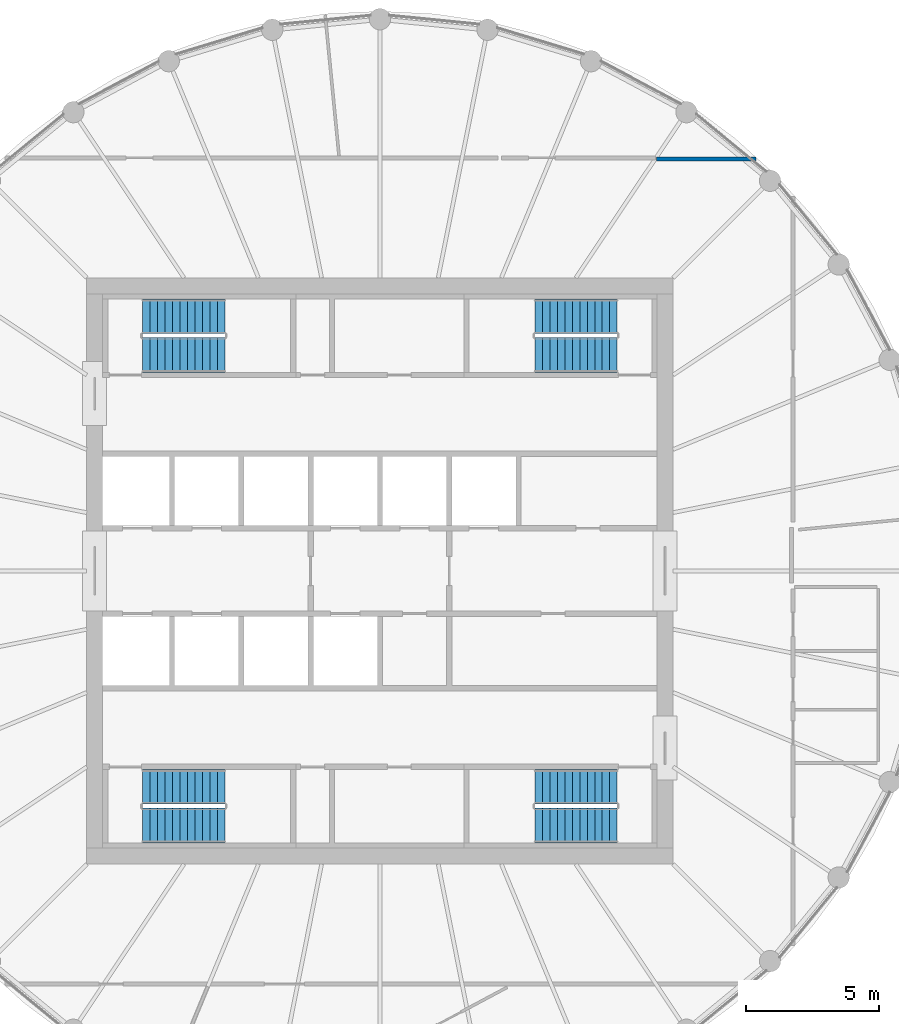
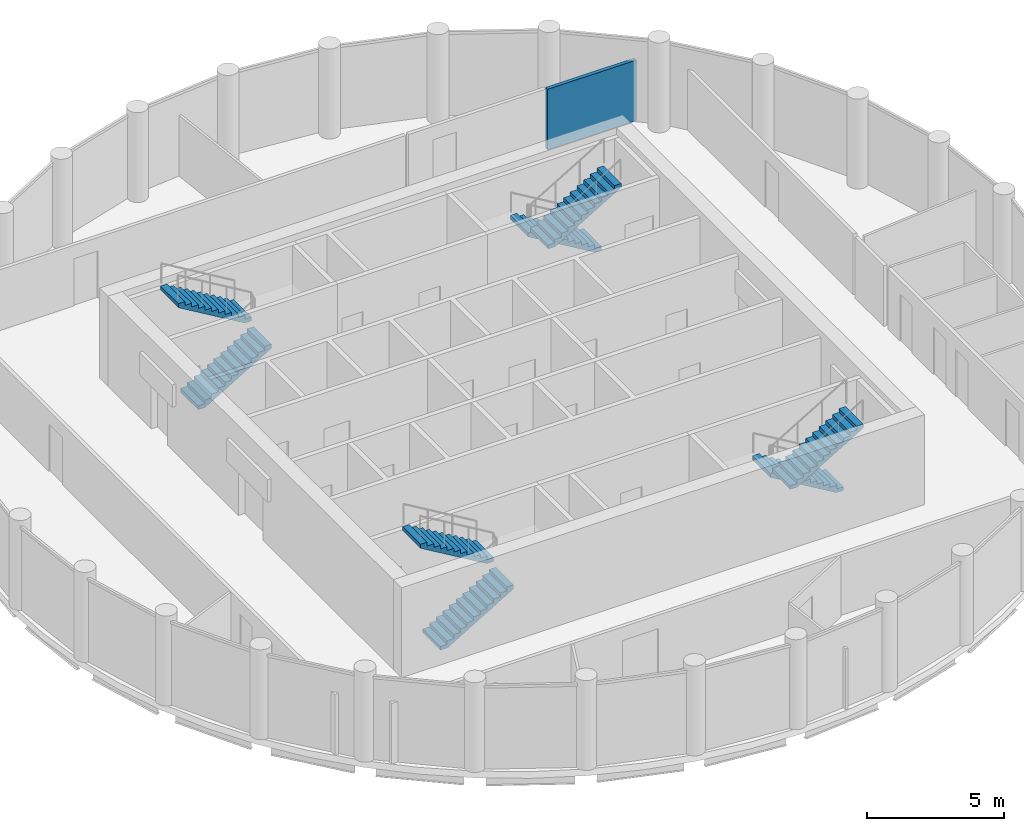
# One storey, part 6 of 7: 8 stair flights, 1 wall, 4 elements without a shape of their own.
"""IFC4 building model written with IfcOpenShell, lengths in metres."""

from ifc_helpers import new_model, si_unit, direction, frame, frame_2d, origin, place, context, subcontext, project, spatial, polyline, rectangle, outline, extrude, material, layer, layer_set, type_object, element, aggregate, save


model = new_model("IFC4")

# Units and contexts
model_context = context("Model", 3, precision=1e-05, world=origin(), true_north=direction((0.0, 1.0)))
body_context = subcontext(model_context, "Body", "Model", "MODEL_VIEW")
ifc_project = project(units=[si_unit("LENGTHUNIT", "METRE"), si_unit("AREAUNIT", "SQUARE_METRE"), si_unit("VOLUMEUNIT", "CUBIC_METRE"), si_unit("PLANEANGLEUNIT", "RADIAN"), si_unit("MASSUNIT", "GRAM", prefix="KILO")], contexts=[model_context])

# Site, building, storey
site_placement = place(None, origin())
site = spatial("IfcSite", under=ifc_project, at=site_placement, CompositionType="ELEMENT")
building_placement = place(site_placement, origin())
building = spatial("IfcBuilding", under=site, at=building_placement, Name="Corvane Civic Tower", CompositionType="ELEMENT")
storey_placement = place(building_placement, frame((0.0, 0.0, 352.5)))
storey = spatial("IfcBuildingStorey", under=building, at=storey_placement, Name="L84", CompositionType="ELEMENT", Elevation=352.5)

# Wall
ifc_material_1 = material(Name="Plasterboard")
ifc_layer = layer(ifc_material_1, 0.14990234375)
ifc_layer_set = layer_set([ifc_layer], Name="Plasterboard")
wall_type = type_object("IfcWallType", Name="Tenancy wall 150 EI 60", PredefinedType="PARTITIONING", material=ifc_layer_set)
wall_placement = place(storey_placement, frame((10.380859375, 15.449951171875, 0.0), z_axis=(0.0, 0.0, 1.0), x_axis=(1.0, 0.0, 0.0)))
element("IfcWall", 1, at=wall_placement, inside=storey, type_object=wall_type, Name="Partition L84.016", PredefinedType="PARTITIONING", context=body_context, shape_type="SweptSolid", body=[
    extrude(rectangle(XDim=3.7314453125, YDim=0.14990234375, at=frame_2d((1.86572265625, 0.0))), origin(), (0.0, 0.0, 1.0), 2.699951171875),
])

# Stair, stair flights
ifc_material_2 = material(Name="Concrete C40/50", Category="concrete")
stair_type = type_object("IfcStairType", Name="ST-STAIR-HALFTURN", PredefinedType="HALF_TURN_STAIR", material=ifc_material_2)
stair_1_placement = place(storey_placement, origin())
stair_1 = element("IfcStair", 2, at=stair_1_placement, inside=storey, type_object=stair_type, Name="L84 Exit stair ST1", PredefinedType="HALF_TURN_STAIR")
ifc_material_3 = material(Name="Concrete C40/50", Category="concrete")
stair_flight_type = type_object("IfcStairFlightType", Name="ST-FLIGHT-RC", PredefinedType="STRAIGHT", material=ifc_material_3)
stair_flight_1_placement = place(storey_placement, frame((8.89990234375, 9.550048828125, 0.0), z_axis=(0.0, 0.0, 1.0), x_axis=(-1.0, 0.0, 0.0)))
stair_flight_1 = element("IfcStairFlight", 3, at=stair_flight_1_placement, type_object=stair_flight_type, Name="ST1 flight 1", NumberOfRisers=12, NumberOfTreads=11, PredefinedType="STRAIGHT", RiserHeight=0.166666667, TreadLength=0.28, context=body_context, shape_type="SweptSolid", body=[
    extrude(outline(polyline([(0.0, 0.0), (0.0, 0.166748046875), (0.280029296875, 0.166748046875), (0.280029296875, 0.333251953125), (0.56005859375, 0.333251953125), (0.56005859375, 0.5), (0.840087890625, 0.5), (0.840087890625, 0.666748046875), (1.1201171875, 0.666748046875), (1.1201171875, 0.833251953125), (1.39990234375, 0.833251953125), (1.39990234375, 1.0), (1.679931640625, 1.0), (1.679931640625, 1.166748046875), (1.9599609375, 1.166748046875), (1.9599609375, 1.333251953125), (2.239990234375, 1.333251953125), (2.239990234375, 1.5), (2.52001953125, 1.5), (2.52001953125, 1.666748046875), (2.800048828125, 1.666748046875), (2.800048828125, 1.833251953125), (3.080078125, 1.833251953125), (3.080078125, 2.0), (3.080078125, 1.658935546875), (0.29296875, 0.0), (0.0, 0.0)])), frame((0.0, 0.64990234375, 0.0), z_axis=(0.0, -1.0, 0.0), x_axis=(1.0, 0.0, 0.0)), (0.0, 0.0, 1.0), 1.300048828125),
])
stair_flight_2_placement = place(storey_placement, frame((5.820068359375, 8.10009765625, 2.0), z_axis=(0.0, 0.0, 1.0), x_axis=(1.0, 0.0, 0.0)))
stair_flight_2 = element("IfcStairFlight", 4, at=stair_flight_2_placement, type_object=stair_flight_type, Name="ST1 flight 2", NumberOfRisers=12, NumberOfTreads=11, PredefinedType="STRAIGHT", RiserHeight=0.166666667, TreadLength=0.28, context=body_context, shape_type="SweptSolid", body=[
    extrude(outline(polyline([(0.0, 0.0), (0.0, 0.166748046875), (0.280029296875, 0.166748046875), (0.280029296875, 0.333251953125), (0.56005859375, 0.333251953125), (0.56005859375, 0.5), (0.840087890625, 0.5), (0.840087890625, 0.666748046875), (1.1201171875, 0.666748046875), (1.1201171875, 0.833251953125), (1.39990234375, 0.833251953125), (1.39990234375, 1.0), (1.679931640625, 1.0), (1.679931640625, 1.166748046875), (1.9599609375, 1.166748046875), (1.9599609375, 1.333251953125), (2.239990234375, 1.333251953125), (2.239990234375, 1.5), (2.52001953125, 1.5), (2.52001953125, 1.666748046875), (2.800048828125, 1.666748046875), (2.800048828125, 1.833251953125), (3.080078125, 1.833251953125), (3.080078125, 2.0), (3.080078125, 1.658935546875), (0.29296875, 0.0), (0.0, 0.0)])), frame((0.0, 0.64990234375, 0.0), z_axis=(0.0, -1.0, 0.0), x_axis=(1.0, 0.0, 0.0)), (0.0, 0.0, 1.0), 1.300048828125),
])
aggregate(stair_1, [stair_flight_1, stair_flight_2])

stair_2_placement = place(storey_placement, origin())
stair_2 = element("IfcStair", 5, at=stair_2_placement, inside=storey, type_object=stair_type, Name="L84 Exit stair ST2", PredefinedType="HALF_TURN_STAIR")
stair_flight_3_placement = place(storey_placement, frame((8.89990234375, -8.10009765625, 0.0), z_axis=(0.0, 0.0, 1.0), x_axis=(-1.0, 0.0, 0.0)))
stair_flight_3 = element("IfcStairFlight", 6, at=stair_flight_3_placement, type_object=stair_flight_type, Name="ST2 flight 1", NumberOfRisers=12, NumberOfTreads=11, PredefinedType="STRAIGHT", RiserHeight=0.166666667, TreadLength=0.28, context=body_context, shape_type="SweptSolid", body=[
    extrude(outline(polyline([(0.0, 0.0), (0.0, 0.166748046875), (0.280029296875, 0.166748046875), (0.280029296875, 0.333251953125), (0.56005859375, 0.333251953125), (0.56005859375, 0.5), (0.840087890625, 0.5), (0.840087890625, 0.666748046875), (1.1201171875, 0.666748046875), (1.1201171875, 0.833251953125), (1.39990234375, 0.833251953125), (1.39990234375, 1.0), (1.679931640625, 1.0), (1.679931640625, 1.166748046875), (1.9599609375, 1.166748046875), (1.9599609375, 1.333251953125), (2.239990234375, 1.333251953125), (2.239990234375, 1.5), (2.52001953125, 1.5), (2.52001953125, 1.666748046875), (2.800048828125, 1.666748046875), (2.800048828125, 1.833251953125), (3.080078125, 1.833251953125), (3.080078125, 2.0), (3.080078125, 1.658935546875), (0.29296875, 0.0), (0.0, 0.0)])), frame((0.0, 0.64990234375, 0.0), z_axis=(0.0, -1.0, 0.0), x_axis=(1.0, 0.0, 0.0)), (0.0, 0.0, 1.0), 1.300048828125),
])
stair_flight_4_placement = place(storey_placement, frame((5.820068359375, -9.550048828125, 2.0), z_axis=(0.0, 0.0, 1.0), x_axis=(1.0, 0.0, 0.0)))
stair_flight_4 = element("IfcStairFlight", 7, at=stair_flight_4_placement, type_object=stair_flight_type, Name="ST2 flight 2", NumberOfRisers=12, NumberOfTreads=11, PredefinedType="STRAIGHT", RiserHeight=0.166666667, TreadLength=0.28, context=body_context, shape_type="SweptSolid", body=[
    extrude(outline(polyline([(0.0, 0.0), (0.0, 0.166748046875), (0.280029296875, 0.166748046875), (0.280029296875, 0.333251953125), (0.56005859375, 0.333251953125), (0.56005859375, 0.5), (0.840087890625, 0.5), (0.840087890625, 0.666748046875), (1.1201171875, 0.666748046875), (1.1201171875, 0.833251953125), (1.39990234375, 0.833251953125), (1.39990234375, 1.0), (1.679931640625, 1.0), (1.679931640625, 1.166748046875), (1.9599609375, 1.166748046875), (1.9599609375, 1.333251953125), (2.239990234375, 1.333251953125), (2.239990234375, 1.5), (2.52001953125, 1.5), (2.52001953125, 1.666748046875), (2.800048828125, 1.666748046875), (2.800048828125, 1.833251953125), (3.080078125, 1.833251953125), (3.080078125, 2.0), (3.080078125, 1.658935546875), (0.29296875, 0.0), (0.0, 0.0)])), frame((0.0, 0.64990234375, 0.0), z_axis=(0.0, -1.0, 0.0), x_axis=(1.0, 0.0, 0.0)), (0.0, 0.0, 1.0), 1.300048828125),
])
aggregate(stair_2, [stair_flight_3, stair_flight_4])

stair_3_placement = place(storey_placement, origin())
stair_3 = element("IfcStair", 8, at=stair_3_placement, inside=storey, type_object=stair_type, Name="L84 Exit stair ST3", PredefinedType="HALF_TURN_STAIR")
stair_flight_5_placement = place(storey_placement, frame((-8.89990234375, -9.550048828125, 0.0), z_axis=(0.0, 0.0, 1.0), x_axis=(1.0, 0.0, 0.0)))
stair_flight_5 = element("IfcStairFlight", 9, at=stair_flight_5_placement, type_object=stair_flight_type, Name="ST3 flight 1", NumberOfRisers=12, NumberOfTreads=11, PredefinedType="STRAIGHT", RiserHeight=0.166666667, TreadLength=0.28, context=body_context, shape_type="SweptSolid", body=[
    extrude(outline(polyline([(0.0, 0.0), (0.0, 0.166748046875), (0.280029296875, 0.166748046875), (0.280029296875, 0.333251953125), (0.56005859375, 0.333251953125), (0.56005859375, 0.5), (0.840087890625, 0.5), (0.840087890625, 0.666748046875), (1.1201171875, 0.666748046875), (1.1201171875, 0.833251953125), (1.39990234375, 0.833251953125), (1.39990234375, 1.0), (1.679931640625, 1.0), (1.679931640625, 1.166748046875), (1.9599609375, 1.166748046875), (1.9599609375, 1.333251953125), (2.239990234375, 1.333251953125), (2.239990234375, 1.5), (2.52001953125, 1.5), (2.52001953125, 1.666748046875), (2.800048828125, 1.666748046875), (2.800048828125, 1.833251953125), (3.080078125, 1.833251953125), (3.080078125, 2.0), (3.080078125, 1.658935546875), (0.29296875, 0.0), (0.0, 0.0)])), frame((0.0, 0.64990234375, 0.0), z_axis=(0.0, -1.0, 0.0), x_axis=(1.0, 0.0, 0.0)), (0.0, 0.0, 1.0), 1.300048828125),
])
stair_flight_6_placement = place(storey_placement, frame((-5.820068359375, -8.10009765625, 2.0), z_axis=(0.0, 0.0, 1.0), x_axis=(-1.0, 0.0, 0.0)))
stair_flight_6 = element("IfcStairFlight", 10, at=stair_flight_6_placement, type_object=stair_flight_type, Name="ST3 flight 2", NumberOfRisers=12, NumberOfTreads=11, PredefinedType="STRAIGHT", RiserHeight=0.166666667, TreadLength=0.28, context=body_context, shape_type="SweptSolid", body=[
    extrude(outline(polyline([(0.0, 0.0), (0.0, 0.166748046875), (0.280029296875, 0.166748046875), (0.280029296875, 0.333251953125), (0.56005859375, 0.333251953125), (0.56005859375, 0.5), (0.840087890625, 0.5), (0.840087890625, 0.666748046875), (1.1201171875, 0.666748046875), (1.1201171875, 0.833251953125), (1.39990234375, 0.833251953125), (1.39990234375, 1.0), (1.679931640625, 1.0), (1.679931640625, 1.166748046875), (1.9599609375, 1.166748046875), (1.9599609375, 1.333251953125), (2.239990234375, 1.333251953125), (2.239990234375, 1.5), (2.52001953125, 1.5), (2.52001953125, 1.666748046875), (2.800048828125, 1.666748046875), (2.800048828125, 1.833251953125), (3.080078125, 1.833251953125), (3.080078125, 2.0), (3.080078125, 1.658935546875), (0.29296875, 0.0), (0.0, 0.0)])), frame((0.0, 0.64990234375, 0.0), z_axis=(0.0, -1.0, 0.0), x_axis=(1.0, 0.0, 0.0)), (0.0, 0.0, 1.0), 1.300048828125),
])
aggregate(stair_3, [stair_flight_5, stair_flight_6])

stair_4_placement = place(storey_placement, origin())
stair_4 = element("IfcStair", 11, at=stair_4_placement, inside=storey, type_object=stair_type, Name="L84 Exit stair ST4", PredefinedType="HALF_TURN_STAIR")
stair_flight_7_placement = place(storey_placement, frame((-8.89990234375, 8.10009765625, 0.0), z_axis=(0.0, 0.0, 1.0), x_axis=(1.0, 0.0, 0.0)))
stair_flight_7 = element("IfcStairFlight", 12, at=stair_flight_7_placement, type_object=stair_flight_type, Name="ST4 flight 1", NumberOfRisers=12, NumberOfTreads=11, PredefinedType="STRAIGHT", RiserHeight=0.166666667, TreadLength=0.28, context=body_context, shape_type="SweptSolid", body=[
    extrude(outline(polyline([(0.0, 0.0), (0.0, 0.166748046875), (0.280029296875, 0.166748046875), (0.280029296875, 0.333251953125), (0.56005859375, 0.333251953125), (0.56005859375, 0.5), (0.840087890625, 0.5), (0.840087890625, 0.666748046875), (1.1201171875, 0.666748046875), (1.1201171875, 0.833251953125), (1.39990234375, 0.833251953125), (1.39990234375, 1.0), (1.679931640625, 1.0), (1.679931640625, 1.166748046875), (1.9599609375, 1.166748046875), (1.9599609375, 1.333251953125), (2.239990234375, 1.333251953125), (2.239990234375, 1.5), (2.52001953125, 1.5), (2.52001953125, 1.666748046875), (2.800048828125, 1.666748046875), (2.800048828125, 1.833251953125), (3.080078125, 1.833251953125), (3.080078125, 2.0), (3.080078125, 1.658935546875), (0.29296875, 0.0), (0.0, 0.0)])), frame((0.0, 0.64990234375, 0.0), z_axis=(0.0, -1.0, 0.0), x_axis=(1.0, 0.0, 0.0)), (0.0, 0.0, 1.0), 1.300048828125),
])
stair_flight_8_placement = place(storey_placement, frame((-5.820068359375, 9.550048828125, 2.0), z_axis=(0.0, 0.0, 1.0), x_axis=(-1.0, 0.0, 0.0)))
stair_flight_8 = element("IfcStairFlight", 13, at=stair_flight_8_placement, type_object=stair_flight_type, Name="ST4 flight 2", NumberOfRisers=12, NumberOfTreads=11, PredefinedType="STRAIGHT", RiserHeight=0.166666667, TreadLength=0.28, context=body_context, shape_type="SweptSolid", body=[
    extrude(outline(polyline([(0.0, 0.0), (0.0, 0.166748046875), (0.280029296875, 0.166748046875), (0.280029296875, 0.333251953125), (0.56005859375, 0.333251953125), (0.56005859375, 0.5), (0.840087890625, 0.5), (0.840087890625, 0.666748046875), (1.1201171875, 0.666748046875), (1.1201171875, 0.833251953125), (1.39990234375, 0.833251953125), (1.39990234375, 1.0), (1.679931640625, 1.0), (1.679931640625, 1.166748046875), (1.9599609375, 1.166748046875), (1.9599609375, 1.333251953125), (2.239990234375, 1.333251953125), (2.239990234375, 1.5), (2.52001953125, 1.5), (2.52001953125, 1.666748046875), (2.800048828125, 1.666748046875), (2.800048828125, 1.833251953125), (3.080078125, 1.833251953125), (3.080078125, 2.0), (3.080078125, 1.658935546875), (0.29296875, 0.0), (0.0, 0.0)])), frame((0.0, 0.64990234375, 0.0), z_axis=(0.0, -1.0, 0.0), x_axis=(1.0, 0.0, 0.0)), (0.0, 0.0, 1.0), 1.300048828125),
])
aggregate(stair_4, [stair_flight_7, stair_flight_8])

save(model, "model.ifc")
